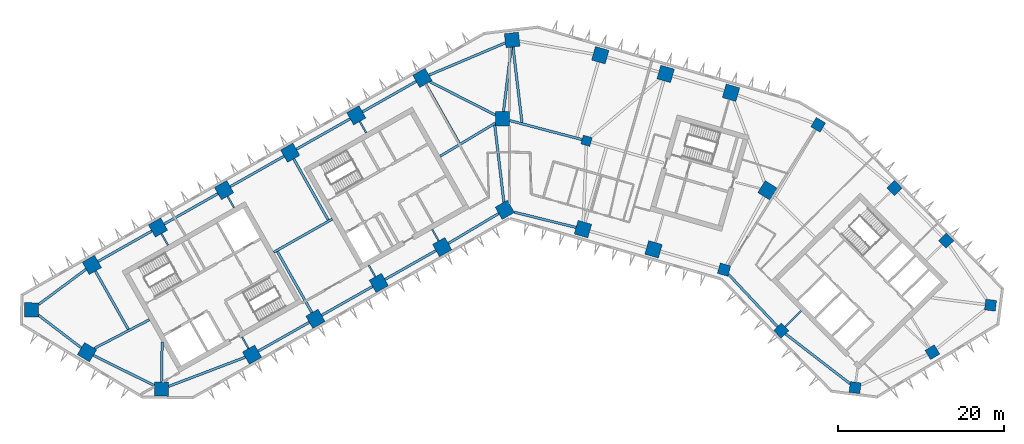
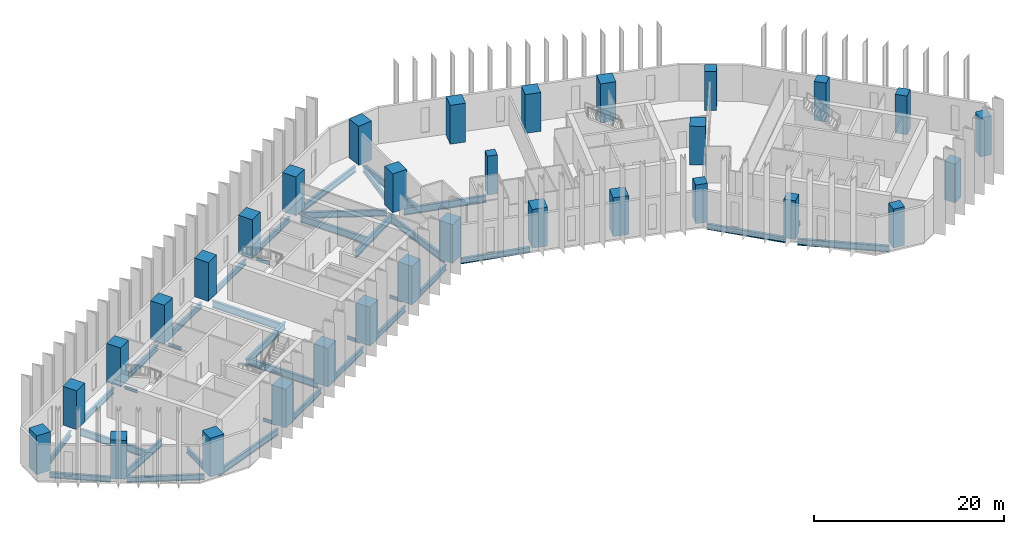
# One storey, part 1 of 11: 37 beams, 31 columns.
"""IFC4 building model written with IfcOpenShell, lengths in metres."""

from ifc_helpers import new_model, si_unit, direction, frame, origin, origin_2d, place, context, subcontext, project, spatial, rectangle, i_section, extrude, material, material_profile, profile_set, type_object, element, save


model = new_model("IFC4")

# Units and contexts
model_context = context("Model", 3, precision=1e-05, world=origin(), true_north=direction((0.0, 1.0)))
body_context = subcontext(model_context, "Body", "Model", "MODEL_VIEW")
ifc_project = project(units=[si_unit("LENGTHUNIT", "METRE"), si_unit("AREAUNIT", "SQUARE_METRE"), si_unit("VOLUMEUNIT", "CUBIC_METRE"), si_unit("PLANEANGLEUNIT", "RADIAN"), si_unit("MASSUNIT", "GRAM", prefix="KILO")], contexts=[model_context])

# Site, building, storey
site_placement = place(None, origin())
site = spatial("IfcSite", under=ifc_project, at=site_placement, CompositionType="ELEMENT")
building_placement = place(site_placement, origin())
building = spatial("IfcBuilding", under=site, at=building_placement, Name="Binnacle Exchange Tower", CompositionType="ELEMENT")
storey_placement = place(building_placement, frame((0.0, 0.0, 56.5)))
storey = spatial("IfcBuildingStorey", under=building, at=storey_placement, Name="L11", CompositionType="ELEMENT", Elevation=56.5)

# Columns
ifc_material_1 = material(Name="Concrete C60/75", Category="concrete")
ifc_material_profile_1 = material_profile(ifc_material_1, rectangle(XDim=1.10009765625, YDim=1.10009765625, at=origin_2d()), Name="Column 1100x1100 C60/75")
ifc_profile_set_1 = profile_set([ifc_material_profile_1], Name="Concrete C60/75")
column_type_1 = type_object("IfcColumnType", Name="Column 1100x1100 C60/75", PredefinedType="COLUMN", material=ifc_profile_set_1)
column_placement = place(storey_placement, frame((9.240966796875, 57.35009765625, 0.0), z_axis=(0.0, 0.0, 1.0), x_axis=(0.961261695938, -0.275637355817, 0.0)))
element("IfcColumn", 1, at=column_placement, inside=storey, type_object=column_type_1, Name="S:COL:C19:L11", PredefinedType="COLUMN", context=body_context, shape_type="SweptSolid", body=[
    extrude(rectangle(XDim=1.10009765625, YDim=1.10009765625, at=origin_2d()), origin(), (0.0, 0.0, 1.0), 5.0),
])
ifc_material_2 = material(Name="Concrete C70/85", Category="concrete")
ifc_material_profile_2 = material_profile(ifc_material_2, rectangle(XDim=1.300048828125, YDim=1.300048828125, at=origin_2d()), Name="Mega column 1300x1300 C70/85")
ifc_profile_set_2 = profile_set([ifc_material_profile_2], Name="Concrete C70/85")
column_type_2 = type_object("IfcColumnType", Name="Mega column 1300x1300 C70/85", PredefinedType="COLUMN", material=ifc_profile_set_2)
for number, where, z_axis, x_axis, name in (
    (2, (37.0849609375, 59.262451171875, 0.0), (0.0, 0.0, 1.0), (-0.859406411501, 0.511293086077, 0.0), "S:COL:MC57:L11"),
    (3, (25.766845703125, 41.85986328125, 0.0), (0.0, 0.0, 1.0), (0.961261695938, -0.275637355817, 0.0), "S:COL:MC56:L11"),
    (4, (32.64111328125, 34.530029296875, 0.0), (0.0, 0.0, 1.0), (0.7009092643, -0.713250449154, 0.0), "S:COL:MC59:L11"),
    (5, (41.519775390625, 27.6748046875, 0.0), (0.0, 0.0, 1.0), (0.99200494968, -0.126198969136, 0.0), "S:COL:MC61:L11"),
    (6, (50.81201171875, 31.930908203125, 0.0), (0.0, 0.0, 1.0), (0.857167300702, 0.51503807491, 0.0), "S:COL:MC63:L11"),
    (7, (57.799072265625, 37.5810546875, 0.0), (0.0, 0.0, 1.0), (0.126198969136, 0.99200494968, 0.0), "S:COL:MC62:L11"),
    (8, (52.466796875, 45.33935546875, 0.0), (0.0, 0.0, 1.0), (-0.7009092643, 0.713250449154, 0.0), "S:COL:MC60:L11"),
    (9, (46.248291015625, 51.667236328125, 0.0), (0.0, 0.0, 1.0), (-0.7009092643, 0.713250449154, 0.0), "S:COL:MC58:L11"),
):
    element("IfcColumn", number, at=place(storey_placement, frame(where, z_axis=z_axis, x_axis=x_axis)), inside=storey, type_object=column_type_2, Name=name, PredefinedType="COLUMN", context=body_context, shape_type="SweptSolid", body=[
        extrude(rectangle(XDim=1.300048828125, YDim=1.300048828125, at=origin_2d()), origin(), (0.0, 0.0, 1.0), 5.0),
    ])
ifc_material_profile_3 = material_profile(ifc_material_2, rectangle(XDim=1.699951171875, YDim=1.699951171875, at=origin_2d()), Name="Mega column 1700x1700 C70/85")
ifc_profile_set_3 = profile_set([ifc_material_profile_3], Name="Concrete C70/85")
column_type_3 = type_object("IfcColumnType", Name="Mega column 1700x1700 C70/85", PredefinedType="COLUMN", material=ifc_profile_set_3)
for number, where, z_axis, x_axis, name in (
    (10, (26.602783203125, 63.12353515625, 0.0), (0.0, 0.0, 1.0), (-0.961261695938, 0.275637355817, 0.0), "S:COL:MC52:L11"),
    (11, (18.746337890625, 65.376220703125, 0.0), (0.0, 0.0, 1.0), (-0.961261695938, 0.275637355817, 0.0), "S:COL:MC50:L11"),
    (12, (10.889892578125, 67.62890625, 0.0), (0.0, 0.0, 1.0), (-0.961261695938, 0.275637355817, 0.0), "S:COL:MC48:L11"),
    (13, (0.300048828125, 69.464111328125, 0.0), (0.0, 0.0, 1.0), (-0.993068456955, -0.117537397458, 0.0), "S:COL:MC47:L11"),
    (14, (-10.4951171875, 64.901611328125, 0.0), (0.0, 0.0, 1.0), (-0.87035569594, -0.492423560103, 0.0), "S:COL:MC38:L11"),
    (15, (-18.44140625, 60.406005859375, 0.0), (0.0, 0.0, 1.0), (-0.87035569594, -0.492423560103, 0.0), "S:COL:MC29:L11"),
    (16, (-26.3876953125, 55.91015625, 0.0), (0.0, 0.0, 1.0), (-0.87035569594, -0.492423560103, 0.0), "S:COL:MC21:L11"),
    (17, (-34.333740234375, 51.414306640625, 0.0), (0.0, 0.0, 1.0), (-0.87035569594, -0.492423560103, 0.0), "S:COL:MC13:L11"),
    (18, (-42.280029296875, 46.918701171875, 0.0), (0.0, 0.0, 1.0), (-0.87035569594, -0.492423560103, 0.0), "S:COL:MC08:L11"),
    (19, (-50.226318359375, 42.4228515625, 0.0), (0.0, 0.0, 1.0), (-0.87035569594, -0.492423560103, 0.0), "S:COL:MC04:L11"),
    (20, (-57.492919921875, 37.02734375, 0.0), (0.0, 0.0, 1.0), (-0.013089595571, -0.999914327574, 0.0), "S:COL:MC02:L11"),
    (21, (-50.81201171875, 31.930908203125, 0.0), (0.0, 0.0, 1.0), (0.857167300702, -0.51503807491, 0.0), "S:COL:MC01:L11"),
    (22, (-41.857666015625, 27.494873046875, 0.0), (0.0, 0.0, 1.0), (0.999914327574, -0.013089595571, 0.0), "S:COL:MC03:L11"),
    (23, (-30.9755859375, 31.63525390625, 0.0), (0.0, 0.0, 1.0), (0.87035569594, 0.492423560103, 0.0), "S:COL:MC07:L11"),
    (24, (-23.35595703125, 35.9462890625, 0.0), (0.0, 0.0, 1.0), (0.87035569594, 0.492423560103, 0.0), "S:COL:MC16:L11"),
    (25, (-15.736328125, 40.257080078125, 0.0), (0.0, 0.0, 1.0), (0.87035569594, 0.492423560103, 0.0), "S:COL:MC24:L11"),
    (26, (-8.116943359375, 44.568115234375, 0.0), (0.0, 0.0, 1.0), (0.87035569594, 0.492423560103, 0.0), "S:COL:MC35:L11"),
    (27, (-0.5908203125, 49.04443359375, 0.0), (0.0, 0.0, 1.0), (0.87035569594, 0.492423560103, 0.0), "S:COL:MC46:L11"),
    (28, (8.8095703125, 46.722412109375, 0.0), (0.0, 0.0, 1.0), (0.961261695938, -0.275637355817, 0.0), "S:COL:MC49:L11"),
    (29, (17.2880859375, 44.291015625, 0.0), (0.0, 0.0, 1.0), (0.961261695938, -0.275637355817, 0.0), "S:COL:MC51:L11"),
    (30, (30.989501953125, 51.38623046875, 0.0), (0.0, 0.0, 1.0), (0.529919264233, 0.848048096156, 0.0), "S:COL:MC55:L11"),
    (31, (-0.85009765625, 60.0, 0.0), (0.0, 0.0, 1.0), (0.0, 1.0, 0.0), "S:COL:MC45:L11"),
):
    element("IfcColumn", number, at=place(storey_placement, frame(where, z_axis=z_axis, x_axis=x_axis)), inside=storey, type_object=column_type_3, Name=name, PredefinedType="COLUMN", context=body_context, shape_type="SweptSolid", body=[
        extrude(rectangle(XDim=1.699951171875, YDim=1.699951171875, at=origin_2d()), origin(), (0.0, 0.0, 1.0), 5.0),
    ])

# Beams
ifc_material_3 = material(Name="Steel S355 (SHN355)", Category="steel")
ifc_material_profile_4 = material_profile(ifc_material_3, i_section(OverallWidth=0.300048828125, OverallDepth=0.699951171875, WebThickness=0.012939453125, FlangeThickness=0.02392578125, FilletRadius=0.028076171875, at=origin_2d()), Name="H 700x300x13x24")
ifc_profile_set_4 = profile_set([ifc_material_profile_4], Name="Steel S355 (SHN355)")
beam_type_1 = type_object("IfcBeamType", Name="Edge girder H 700x300x13x24 Steel S355 (SHN355)", PredefinedType="SPANDREL", material=ifc_profile_set_4)
beam_1_placement = place(storey_placement, frame((-56.6513671875, 36.38525390625, -0.669921875), z_axis=(0.795093040263, -0.606487474994, 0.0), x_axis=(0.606487474994, 0.795093040263, 0.0)))
element("IfcBeam", 32, at=beam_1_placement, inside=storey, type_object=beam_type_1, Name="S:BM:edge:L11:015", PredefinedType="SPANDREL", context=body_context, shape_type="SweptSolid", body=[
    extrude(i_section(OverallWidth=0.300048828125, OverallDepth=0.699951171875, WebThickness=0.012939453125, FlangeThickness=0.02392578125, FilletRadius=0.028076171875, at=origin_2d()), origin(), (0.0, 0.0, 1.0), 6.489013671875),
])
beam_2_placement = place(storey_placement, frame((-50.913818359375, 41.912353515625, -0.669921875), z_axis=(-0.80288535334, -0.59613346609, 0.0), x_axis=(0.59613346609, -0.80288535334, 0.0)))
element("IfcBeam", 33, at=beam_2_placement, inside=storey, type_object=beam_type_1, Name="S:BM:edge:L11:016", PredefinedType="SPANDREL", context=body_context, shape_type="SweptSolid", body=[
    extrude(i_section(OverallWidth=0.300048828125, OverallDepth=0.699951171875, WebThickness=0.012939453125, FlangeThickness=0.02392578125, FilletRadius=0.028076171875, at=origin_2d()), origin(), (0.0, 0.0, 1.0), 7.125244140625),
])
beam_3_placement = place(storey_placement, frame((-43.019775390625, 46.5, -0.669921875), z_axis=(-0.870364477798, -0.492408037898, 0.0), x_axis=(0.492408037898, -0.870364477798, 0.0)))
element("IfcBeam", 34, at=beam_3_placement, inside=storey, type_object=beam_type_1, Name="S:BM:edge:L11:018", PredefinedType="SPANDREL", context=body_context, shape_type="SweptSolid", body=[
    extrude(i_section(OverallWidth=0.300048828125, OverallDepth=0.699951171875, WebThickness=0.012939453125, FlangeThickness=0.02392578125, FilletRadius=0.028076171875, at=origin_2d()), origin(), (0.0, 0.0, 1.0), 7.4296875),
])
beam_4_placement = place(storey_placement, frame((-35.073486328125, 50.995849609375, -0.669921875), z_axis=(-0.870372444894, -0.492393955253, 0.0), x_axis=(0.492393955253, -0.870372444894, 0.0)))
element("IfcBeam", 35, at=beam_4_placement, inside=storey, type_object=beam_type_1, Name="S:BM:edge:L11:020", PredefinedType="SPANDREL", context=body_context, shape_type="SweptSolid", body=[
    extrude(i_section(OverallWidth=0.300048828125, OverallDepth=0.699951171875, WebThickness=0.012939453125, FlangeThickness=0.02392578125, FilletRadius=0.028076171875, at=origin_2d()), origin(), (0.0, 0.0, 1.0), 7.429931640625),
])
beam_5_placement = place(storey_placement, frame((-30.23583984375, 32.053955078125, -0.669921875), z_axis=(0.870373276953, 0.492392484473, 0.0), x_axis=(-0.492392484473, 0.870373276953, 0.0)))
element("IfcBeam", 36, at=beam_5_placement, inside=storey, type_object=beam_type_1, Name="S:BM:edge:L11:021", PredefinedType="SPANDREL", context=body_context, shape_type="SweptSolid", body=[
    extrude(i_section(OverallWidth=0.300048828125, OverallDepth=0.699951171875, WebThickness=0.012939453125, FlangeThickness=0.02392578125, FilletRadius=0.028076171875, at=origin_2d()), origin(), (0.0, 0.0, 1.0), 7.0546875),
])
beam_6_placement = place(storey_placement, frame((-27.12744140625, 55.49169921875, -0.669921875), z_axis=(-0.870350394687, -0.492432929919, 0.0), x_axis=(0.492432929919, -0.870350394687, 0.0)))
element("IfcBeam", 37, at=beam_6_placement, inside=storey, type_object=beam_type_1, Name="S:BM:edge:L11:022", PredefinedType="SPANDREL", context=body_context, shape_type="SweptSolid", body=[
    extrude(i_section(OverallWidth=0.300048828125, OverallDepth=0.699951171875, WebThickness=0.012939453125, FlangeThickness=0.02392578125, FilletRadius=0.028076171875, at=origin_2d()), origin(), (0.0, 0.0, 1.0), 7.429931640625),
])
beam_7_placement = place(storey_placement, frame((-22.6162109375, 36.36474609375, -0.669921875), z_axis=(0.870350053651, 0.492433532681, 0.0), x_axis=(-0.492433532681, 0.870350053651, 0.0)))
element("IfcBeam", 38, at=beam_7_placement, inside=storey, type_object=beam_type_1, Name="S:BM:edge:L11:023", PredefinedType="SPANDREL", context=body_context, shape_type="SweptSolid", body=[
    extrude(i_section(OverallWidth=0.300048828125, OverallDepth=0.699951171875, WebThickness=0.012939453125, FlangeThickness=0.02392578125, FilletRadius=0.028076171875, at=origin_2d()), origin(), (0.0, 0.0, 1.0), 7.054443359375),
])
beam_8_placement = place(storey_placement, frame((-19.18115234375, 59.9873046875, -0.669921875), z_axis=(-0.870364477798, -0.492408037898, 0.0), x_axis=(0.492408037898, -0.870364477798, 0.0)))
element("IfcBeam", 39, at=beam_8_placement, inside=storey, type_object=beam_type_1, Name="S:BM:edge:L11:024", PredefinedType="SPANDREL", context=body_context, shape_type="SweptSolid", body=[
    extrude(i_section(OverallWidth=0.300048828125, OverallDepth=0.699951171875, WebThickness=0.012939453125, FlangeThickness=0.02392578125, FilletRadius=0.028076171875, at=origin_2d()), origin(), (0.0, 0.0, 1.0), 7.4296875),
])
beam_9_placement = place(storey_placement, frame((-14.99658203125, 40.67578125, -0.669921875), z_axis=(0.870364886025, 0.492407316329, 0.0), x_axis=(-0.492407316329, 0.870364886025, 0.0)))
element("IfcBeam", 40, at=beam_9_placement, inside=storey, type_object=beam_type_1, Name="S:BM:edge:L11:025", PredefinedType="SPANDREL", context=body_context, shape_type="SweptSolid", body=[
    extrude(i_section(OverallWidth=0.300048828125, OverallDepth=0.699951171875, WebThickness=0.012939453125, FlangeThickness=0.02392578125, FilletRadius=0.028076171875, at=origin_2d()), origin(), (0.0, 0.0, 1.0), 7.054443359375),
])
beam_10_placement = place(storey_placement, frame((-11.23486328125, 64.483154296875, -0.669921875), z_axis=(-0.870364477798, -0.492408037898, 0.0), x_axis=(0.492408037898, -0.870364477798, 0.0)))
element("IfcBeam", 41, at=beam_10_placement, inside=storey, type_object=beam_type_1, Name="S:BM:edge:L11:026", PredefinedType="SPANDREL", context=body_context, shape_type="SweptSolid", body=[
    extrude(i_section(OverallWidth=0.300048828125, OverallDepth=0.699951171875, WebThickness=0.012939453125, FlangeThickness=0.02392578125, FilletRadius=0.028076171875, at=origin_2d()), origin(), (0.0, 0.0, 1.0), 7.4296875),
])
beam_11_placement = place(storey_placement, frame((-7.38623046875, 45.002685546875, -0.669921875), z_axis=(0.859464815262, 0.511194905419, 0.0), x_axis=(-0.511194905419, 0.859464815262, 0.0)))
element("IfcBeam", 42, at=beam_11_placement, inside=storey, type_object=beam_type_1, Name="S:BM:edge:L11:027", PredefinedType="SPANDREL", context=body_context, shape_type="SweptSolid", body=[
    extrude(i_section(OverallWidth=0.300048828125, OverallDepth=0.699951171875, WebThickness=0.012939453125, FlangeThickness=0.02392578125, FilletRadius=0.028076171875, at=origin_2d()), origin(), (0.0, 0.0, 1.0), 7.056396484375),
])
beam_12_placement = place(storey_placement, frame((0.54443359375, 48.763916015625, -0.669921875), z_axis=(0.970818997342, -0.239813415805, 0.0), x_axis=(0.239813415805, 0.970818997342, 0.0)))
element("IfcBeam", 43, at=beam_12_placement, inside=storey, type_object=beam_type_1, Name="S:BM:edge:L11:029", PredefinedType="SPANDREL", context=body_context, shape_type="SweptSolid", body=[
    extrude(i_section(OverallWidth=0.300048828125, OverallDepth=0.699951171875, WebThickness=0.012939453125, FlangeThickness=0.02392578125, FilletRadius=0.028076171875, at=origin_2d()), origin(), (0.0, 0.0, 1.0), 7.662841796875),
])
ifc_material_profile_5 = material_profile(ifc_material_3, i_section(OverallWidth=0.302001953125, OverallDepth=0.7080078125, WebThickness=0.014892578125, FlangeThickness=0.028076171875, FilletRadius=0.028076171875, at=origin_2d()), Name="H 708x302x15x28")
ifc_profile_set_5 = profile_set([ifc_material_profile_5], Name="Steel S355 (SHN355)")
beam_type_2 = type_object("IfcBeamType", Name="Edge girder H 708x302x15x28 Steel S355 (SHN355)", PredefinedType="SPANDREL", material=ifc_profile_set_5)
beam_13_placement = place(storey_placement, frame((-50.0478515625, 31.55224609375, -0.674072265625), z_axis=(0.896059216286, -0.443934545749, 0.0), x_axis=(0.443934545749, 0.896059216286, 0.0)))
element("IfcBeam", 44, at=beam_13_placement, inside=storey, type_object=beam_type_2, Name="S:BM:edge:L11:017", PredefinedType="SPANDREL", context=body_context, shape_type="SweptSolid", body=[
    extrude(i_section(OverallWidth=0.302001953125, OverallDepth=0.7080078125, WebThickness=0.014892578125, FlangeThickness=0.028076171875, FilletRadius=0.028076171875, at=origin_2d()), origin(), (0.0, 0.0, 1.0), 8.197509765625),
])
beam_14_placement = place(storey_placement, frame((26.284912109375, 41.3076171875, -0.674072265625), z_axis=(0.684056711164, -0.729428828544, 0.0), x_axis=(0.729428828544, 0.684056711164, 0.0)))
element("IfcBeam", 45, at=beam_14_placement, inside=storey, type_object=beam_type_2, Name="S:BM:edge:L11:035", PredefinedType="SPANDREL", context=body_context, shape_type="SweptSolid", body=[
    extrude(i_section(OverallWidth=0.302001953125, OverallDepth=0.7080078125, WebThickness=0.014892578125, FlangeThickness=0.028076171875, FilletRadius=0.028076171875, at=origin_2d()), origin(), (0.0, 0.0, 1.0), 8.6416015625),
])
ifc_material_profile_6 = material_profile(ifc_material_3, i_section(OverallWidth=0.302001953125, OverallDepth=0.80810546875, WebThickness=0.01611328125, FlangeThickness=0.030029296875, FilletRadius=0.028076171875, at=origin_2d()), Name="H 808x302x16x30")
ifc_profile_set_6 = profile_set([ifc_material_profile_6], Name="Steel S355 (SHN355)")
beam_type_3 = type_object("IfcBeamType", Name="Edge girder H 808x302x16x30 Steel S355 (SHN355)", PredefinedType="SPANDREL", material=ifc_profile_set_6)
beam_15_placement = place(storey_placement, frame((-41.00341796875, 27.81982421875, -0.72412109375), z_axis=(0.934628738252, 0.355624973297, 0.0), x_axis=(-0.355624973297, 0.934628738252, 0.0)))
element("IfcBeam", 46, at=beam_15_placement, inside=storey, type_object=beam_type_3, Name="S:BM:edge:L11:019", PredefinedType="SPANDREL", context=body_context, shape_type="SweptSolid", body=[
    extrude(i_section(OverallWidth=0.302001953125, OverallDepth=0.80810546875, WebThickness=0.01611328125, FlangeThickness=0.030029296875, FilletRadius=0.028076171875, at=origin_2d()), origin(), (0.0, 0.0, 1.0), 9.869384765625),
])
beam_16_placement = place(storey_placement, frame((-0.51513671875, 69.11962890625, -0.72412109375), z_axis=(-0.921111373297, -0.389299162578, 0.0), x_axis=(0.389299162578, -0.921111373297, 0.0)))
element("IfcBeam", 47, at=beam_16_placement, inside=storey, type_object=beam_type_3, Name="S:BM:edge:L11:028", PredefinedType="SPANDREL", context=body_context, shape_type="SweptSolid", body=[
    extrude(i_section(OverallWidth=0.302001953125, OverallDepth=0.80810546875, WebThickness=0.01611328125, FlangeThickness=0.030029296875, FilletRadius=0.028076171875, at=origin_2d()), origin(), (0.0, 0.0, 1.0), 9.978759765625),
])
beam_17_placement = place(storey_placement, frame((33.160400390625, 34.12890625, -0.72412109375), z_axis=(0.791533490776, -0.611125791454, 0.0), x_axis=(0.611125791454, 0.791533490776, 0.0)))
element("IfcBeam", 48, at=beam_17_placement, inside=storey, type_object=beam_type_3, Name="S:BM:edge:L11:036", PredefinedType="SPANDREL", context=body_context, shape_type="SweptSolid", body=[
    extrude(i_section(OverallWidth=0.302001953125, OverallDepth=0.80810546875, WebThickness=0.01611328125, FlangeThickness=0.030029296875, FilletRadius=0.028076171875, at=origin_2d()), origin(), (0.0, 0.0, 1.0), 9.80712890625),
])
ifc_material_profile_7 = material_profile(ifc_material_3, i_section(OverallWidth=0.199951171875, OverallDepth=0.39990234375, WebThickness=0.008056640625, FlangeThickness=0.012939453125, FilletRadius=0.01611328125, at=origin_2d()), Name="H 400x200x8x13")
ifc_profile_set_7 = profile_set([ifc_material_profile_7], Name="Steel S355 (SHN355)")
beam_type_4 = type_object("IfcBeamType", Name="Floor beam H 400x200x8x13 Steel S355 (SHN355)", PredefinedType="BEAM", material=ifc_profile_set_7)
beam_18_placement = place(storey_placement, frame((-41.861328125, 46.178955078125, -0.52001953125), z_axis=(0.492366981934, -0.870387703901, 0.0), x_axis=(0.870387703901, 0.492366981934, 0.0)))
element("IfcBeam", 49, at=beam_18_placement, inside=storey, type_object=beam_type_4, Name="S:BM:cross:L11:044", PredefinedType="BEAM", context=body_context, shape_type="SweptSolid", body=[
    extrude(i_section(OverallWidth=0.199951171875, OverallDepth=0.39990234375, WebThickness=0.008056640625, FlangeThickness=0.012939453125, FilletRadius=0.01611328125, at=origin_2d()), origin(), (0.0, 0.0, 1.0), 1.584228515625),
])
beam_19_placement = place(storey_placement, frame((-33.915283203125, 50.674560546875, -0.52001953125), z_axis=(0.492483715062, -0.870321659158, 0.0), x_axis=(0.870321659158, 0.492483715062, 0.0)))
element("IfcBeam", 50, at=beam_19_placement, inside=storey, type_object=beam_type_4, Name="S:BM:cross:L11:046", PredefinedType="BEAM", context=body_context, shape_type="SweptSolid", body=[
    extrude(i_section(OverallWidth=0.199951171875, OverallDepth=0.39990234375, WebThickness=0.008056640625, FlangeThickness=0.012939453125, FilletRadius=0.01611328125, at=origin_2d()), origin(), (0.0, 0.0, 1.0), 1.58447265625),
])
for number, where, z_axis, x_axis, name in (
    (51, (-31.394287109375, 32.375, -0.52001953125), (-0.492366981934, 0.870387703901, 0.0), (-0.870387703901, -0.492366981934, 0.0), "S:BM:cross:L11:047"),
    (52, (-18.022705078125, 59.666259765625, -0.52001953125), (0.492366981934, -0.870387703901, 0.0), (0.870387703901, 0.492366981934, 0.0), "S:BM:cross:L11:050"),
    (53, (-16.155029296875, 40.9970703125, -0.52001953125), (-0.492366981934, 0.870387703901, 0.0), (-0.870387703901, -0.492366981934, 0.0), "S:BM:cross:L11:051"),
):
    element("IfcBeam", number, at=place(storey_placement, frame(where, z_axis=z_axis, x_axis=x_axis)), inside=storey, type_object=beam_type_4, Name=name, PredefinedType="BEAM", context=body_context, shape_type="SweptSolid", body=[
        extrude(i_section(OverallWidth=0.199951171875, OverallDepth=0.39990234375, WebThickness=0.008056640625, FlangeThickness=0.012939453125, FilletRadius=0.01611328125, at=origin_2d()), origin(), (0.0, 0.0, 1.0), 1.584228515625),
    ])
beam_20_placement = place(storey_placement, frame((-8.535400390625, 45.307861328125, -0.52001953125), z_axis=(-0.492483715062, 0.870321659158, 0.0), x_axis=(-0.870321659158, -0.492483715062, 0.0)))
element("IfcBeam", 54, at=beam_20_placement, inside=storey, type_object=beam_type_4, Name="S:BM:cross:L11:053", PredefinedType="BEAM", context=body_context, shape_type="SweptSolid", body=[
    extrude(i_section(OverallWidth=0.199951171875, OverallDepth=0.39990234375, WebThickness=0.008056640625, FlangeThickness=0.012939453125, FilletRadius=0.01611328125, at=origin_2d()), origin(), (0.0, 0.0, 1.0), 1.58447265625),
])
ifc_material_profile_8 = material_profile(ifc_material_3, i_section(OverallWidth=0.199951171875, OverallDepth=0.449951171875, WebThickness=0.009033203125, FlangeThickness=0.013916015625, FilletRadius=0.01806640625, at=origin_2d()), Name="H 450x200x9x14")
ifc_profile_set_8 = profile_set([ifc_material_profile_8], Name="Steel S355 (SHN355)")
beam_type_5 = type_object("IfcBeamType", Name="Floor beam H 450x200x9x14 Steel S355 (SHN355)", PredefinedType="BEAM", material=ifc_profile_set_8)
beam_21_placement = place(storey_placement, frame((33.104736328125, 34.985595703125, -0.544921875), z_axis=(0.713254209224, 0.700905438004, 0.0), x_axis=(-0.700905438004, 0.713254209224, 0.0)))
element("IfcBeam", 55, at=beam_21_placement, inside=storey, type_object=beam_type_5, Name="S:BM:cross:L11:061", PredefinedType="BEAM", context=body_context, shape_type="SweptSolid", body=[
    extrude(i_section(OverallWidth=0.199951171875, OverallDepth=0.449951171875, WebThickness=0.009033203125, FlangeThickness=0.013916015625, FilletRadius=0.01806640625, at=origin_2d()), origin(), (0.0, 0.0, 1.0), 2.70849609375),
])
ifc_material_profile_9 = material_profile(ifc_material_3, i_section(OverallWidth=0.300048828125, OverallDepth=0.699951171875, WebThickness=0.012939453125, FlangeThickness=0.02392578125, FilletRadius=0.028076171875, at=origin_2d()), Name="H 700x300x13x24")
ifc_profile_set_9 = profile_set([ifc_material_profile_9], Name="Steel S355 (SHN355)")
beam_type_6 = type_object("IfcBeamType", Name="Floor beam H 700x300x13x24 Steel S355 (SHN355)", PredefinedType="BEAM", material=ifc_profile_set_9)
beam_22_placement = place(storey_placement, frame((-41.8466796875, 28.3447265625, -0.669921875), z_axis=(0.013120628196, 0.999913920853, 0.0), x_axis=(-0.999913920853, 0.013120628196, 0.0)))
element("IfcBeam", 56, at=beam_22_placement, inside=storey, type_object=beam_type_6, Name="S:BM:cross:L11:045", PredefinedType="BEAM", context=body_context, shape_type="SweptSolid", body=[
    extrude(i_section(OverallWidth=0.300048828125, OverallDepth=0.699951171875, WebThickness=0.012939453125, FlangeThickness=0.02392578125, FilletRadius=0.028076171875, at=origin_2d()), origin(), (0.0, 0.0, 1.0), 4.80078125),
])
ifc_material_profile_10 = material_profile(ifc_material_3, i_section(OverallWidth=0.300048828125, OverallDepth=0.89990234375, WebThickness=0.01611328125, FlangeThickness=0.028076171875, FilletRadius=0.028076171875, at=origin_2d()), Name="H 900x300x16x28")
ifc_profile_set_10 = profile_set([ifc_material_profile_10], Name="Steel S355 (SHN355)")
beam_type_7 = type_object("IfcBeamType", Name="Floor beam H 900x300x16x28 Steel S355 (SHN355)", PredefinedType="BEAM", material=ifc_profile_set_10)
beam_23_placement = place(storey_placement, frame((-49.8076171875, 41.68310546875, -0.77001953125), z_axis=(0.492423370769, -0.87035580306, 0.0), x_axis=(0.87035580306, 0.492423370769, 0.0)))
element("IfcBeam", 57, at=beam_23_placement, inside=storey, type_object=beam_type_7, Name="S:BM:cross:L11:043", PredefinedType="BEAM", context=body_context, shape_type="SweptSolid", body=[
    extrude(i_section(OverallWidth=0.300048828125, OverallDepth=0.89990234375, WebThickness=0.01611328125, FlangeThickness=0.028076171875, FilletRadius=0.028076171875, at=origin_2d()), origin(), (0.0, 0.0, 1.0), 8.041259765625),
])
beam_24_placement = place(storey_placement, frame((-10.076416015625, 64.161865234375, -0.77001953125), z_axis=(0.492410737926, -0.870362950254, 0.0), x_axis=(0.870362950254, 0.492410737926, 0.0)))
element("IfcBeam", 58, at=beam_24_placement, inside=storey, type_object=beam_type_7, Name="S:BM:cross:L11:052", PredefinedType="BEAM", context=body_context, shape_type="SweptSolid", body=[
    extrude(i_section(OverallWidth=0.300048828125, OverallDepth=0.89990234375, WebThickness=0.01611328125, FlangeThickness=0.028076171875, FilletRadius=0.028076171875, at=origin_2d()), origin(), (0.0, 0.0, 1.0), 8.16943359375),
])
ifc_material_profile_11 = material_profile(ifc_material_3, i_section(OverallWidth=0.302001953125, OverallDepth=0.912109375, WebThickness=0.01806640625, FlangeThickness=0.033935546875, FilletRadius=0.028076171875, at=origin_2d()), Name="H 912x302x18x34")
ifc_profile_set_11 = profile_set([ifc_material_profile_11], Name="Steel S355 (SHN355)")
beam_type_8 = type_object("IfcBeamType", Name="Floor beam H 912x302x18x34 Steel S355 (SHN355)", PredefinedType="BEAM", material=ifc_profile_set_11)
for number, where, z_axis, x_axis, name in (
    (59, (-25.968994140625, 55.17041015625, -0.77587890625), (0.492409177884, -0.870363832851, 0.0), (0.870363832851, 0.492409177884, 0.0), "S:BM:cross:L11:048"),
    (60, (-23.774658203125, 36.68603515625, -0.77587890625), (-0.492409177884, 0.870363832851, 0.0), (-0.870363832851, -0.492409177884, 0.0), "S:BM:cross:L11:049"),
):
    element("IfcBeam", number, at=place(storey_placement, frame(where, z_axis=z_axis, x_axis=x_axis)), inside=storey, type_object=beam_type_8, Name=name, PredefinedType="BEAM", context=body_context, shape_type="SweptSolid", body=[
        extrude(i_section(OverallWidth=0.302001953125, OverallDepth=0.912109375, WebThickness=0.01806640625, FlangeThickness=0.033935546875, FilletRadius=0.028076171875, at=origin_2d()), origin(), (0.0, 0.0, 1.0), 8.43408203125),
    ])
ifc_material_profile_12 = material_profile(ifc_material_3, i_section(OverallWidth=0.302978515625, OverallDepth=0.91796875, WebThickness=0.01904296875, FlangeThickness=0.037109375, FilletRadius=0.028076171875, at=origin_2d()), Name="H 918x303x19x37")
ifc_profile_set_12 = profile_set([ifc_material_profile_12], Name="Steel S355 (SHN355)")
beam_type_9 = type_object("IfcBeamType", Name="Floor beam H 918x303x19x37 Steel S355 (SHN355)", PredefinedType="BEAM", material=ifc_profile_set_12)
beam_25_placement = place(storey_placement, frame((-0.69921875, 49.959716796875, -0.779052734375), z_axis=(-0.117528717449, 0.993069484263, 0.0), x_axis=(-0.993069484263, -0.117528717449, 0.0)))
element("IfcBeam", 61, at=beam_25_placement, inside=storey, type_object=beam_type_9, Name="S:BM:cross:L11:054", PredefinedType="BEAM", context=body_context, shape_type="SweptSolid", body=[
    extrude(i_section(OverallWidth=0.302978515625, OverallDepth=0.91796875, WebThickness=0.01904296875, FlangeThickness=0.037109375, FilletRadius=0.028076171875, at=origin_2d()), origin(), (0.0, 0.0, 1.0), 9.374755859375),
])
beam_26_placement = place(storey_placement, frame((0.39990234375, 68.6201171875, -0.779052734375), z_axis=(0.117562643201, -0.993065468599, 0.0), x_axis=(0.993065468599, 0.117562643201, 0.0)))
element("IfcBeam", 62, at=beam_26_placement, inside=storey, type_object=beam_type_9, Name="S:BM:cross:L11:055", PredefinedType="BEAM", context=body_context, shape_type="SweptSolid", body=[
    extrude(i_section(OverallWidth=0.302978515625, OverallDepth=0.91796875, WebThickness=0.01904296875, FlangeThickness=0.037109375, FilletRadius=0.028076171875, at=origin_2d()), origin(), (0.0, 0.0, 1.0), 9.14990234375),
])
ifc_material_profile_13 = material_profile(ifc_material_3, i_section(OverallWidth=0.302001953125, OverallDepth=0.7080078125, WebThickness=0.014892578125, FlangeThickness=0.028076171875, FilletRadius=0.028076171875, at=origin_2d()), Name="H 708x302x15x28")
ifc_profile_set_13 = profile_set([ifc_material_profile_13], Name="Steel S355 (SHN355)")
beam_type_10 = type_object("IfcBeamType", Name="Spine girder H 708x302x15x28 Steel S355 (SHN355)", PredefinedType="BEAM", material=ifc_profile_set_13)
beam_27_placement = place(storey_placement, frame((-0.74658203125, 60.85009765625, -0.674072265625), z_axis=(0.120621974738, 0.992698513755, 0.0), x_axis=(-0.992698513755, 0.120621974738, 0.0)))
element("IfcBeam", 63, at=beam_27_placement, inside=storey, type_object=beam_type_10, Name="S:BM:spine:L11:005", PredefinedType="BEAM", context=body_context, shape_type="SweptSolid", body=[
    extrude(i_section(OverallWidth=0.302001953125, OverallDepth=0.7080078125, WebThickness=0.014892578125, FlangeThickness=0.028076171875, FilletRadius=0.028076171875, at=origin_2d()), origin(), (0.0, 0.0, 1.0), 7.802490234375),
])
ifc_material_profile_14 = material_profile(ifc_material_3, i_section(OverallWidth=0.302001953125, OverallDepth=0.80810546875, WebThickness=0.01611328125, FlangeThickness=0.030029296875, FilletRadius=0.028076171875, at=origin_2d()), Name="H 808x302x16x30")
ifc_profile_set_14 = profile_set([ifc_material_profile_14], Name="Steel S355 (SHN355)")
beam_type_11 = type_object("IfcBeamType", Name="Spine girder H 808x302x16x30 Steel S355 (SHN355)", PredefinedType="BEAM", material=ifc_profile_set_14)
beam_28_placement = place(storey_placement, frame((-1.699951171875, 60.431884765625, -0.72412109375), z_axis=(-0.891471296315, 0.45307717648, 0.0), x_axis=(-0.45307717648, -0.891471296315, 0.0)))
element("IfcBeam", 64, at=beam_28_placement, inside=storey, type_object=beam_type_11, Name="S:BM:spine:L11:004", PredefinedType="BEAM", context=body_context, shape_type="SweptSolid", body=[
    extrude(i_section(OverallWidth=0.302001953125, OverallDepth=0.80810546875, WebThickness=0.01611328125, FlangeThickness=0.030029296875, FilletRadius=0.028076171875, at=origin_2d()), origin(), (0.0, 0.0, 1.0), 8.845703125),
])
ifc_material_profile_15 = material_profile(ifc_material_3, i_section(OverallWidth=0.300048828125, OverallDepth=0.89990234375, WebThickness=0.01611328125, FlangeThickness=0.028076171875, FilletRadius=0.028076171875, at=origin_2d()), Name="H 900x300x16x28")
ifc_profile_set_15 = profile_set([ifc_material_profile_15], Name="Steel S355 (SHN355)")
beam_type_12 = type_object("IfcBeamType", Name="Spine girder H 900x300x16x28 Steel S355 (SHN355)", PredefinedType="BEAM", material=ifc_profile_set_15)
beam_29_placement = place(storey_placement, frame((-49.927734375, 32.391357421875, -0.77001953125), z_axis=(0.886979965344, 0.461807904954, 0.0), x_axis=(-0.461807904954, 0.886979965344, 0.0)))
element("IfcBeam", 65, at=beam_29_placement, inside=storey, type_object=beam_type_12, Name="S:BM:spine:L11:001", PredefinedType="BEAM", context=body_context, shape_type="SweptSolid", body=[
    extrude(i_section(OverallWidth=0.300048828125, OverallDepth=0.89990234375, WebThickness=0.01611328125, FlangeThickness=0.028076171875, FilletRadius=0.028076171875, at=origin_2d()), origin(), (0.0, 0.0, 1.0), 7.463623046875),
])
beam_30_placement = place(storey_placement, frame((-8.36328125, 55.489990234375, -0.77001953125), z_axis=(0.857393122678, 0.514662057261, 0.0), x_axis=(-0.514662057261, 0.857393122678, 0.0)))
element("IfcBeam", 66, at=beam_30_placement, inside=storey, type_object=beam_type_12, Name="S:BM:spine:L11:003", PredefinedType="BEAM", context=body_context, shape_type="SweptSolid", body=[
    extrude(i_section(OverallWidth=0.300048828125, OverallDepth=0.89990234375, WebThickness=0.01611328125, FlangeThickness=0.028076171875, FilletRadius=0.028076171875, at=origin_2d()), origin(), (0.0, 0.0, 1.0), 7.771728515625),
])
ifc_material_profile_16 = material_profile(ifc_material_3, i_section(OverallWidth=0.302001953125, OverallDepth=0.912109375, WebThickness=0.01806640625, FlangeThickness=0.033935546875, FilletRadius=0.028076171875, at=origin_2d()), Name="H 912x302x18x34")
ifc_profile_set_16 = profile_set([ifc_material_profile_16], Name="Steel S355 (SHN355)")
beam_type_13 = type_object("IfcBeamType", Name="Spine girder H 912x302x18x34 Steel S355 (SHN355)", PredefinedType="BEAM", material=ifc_profile_set_16)
beam_31_placement = place(storey_placement, frame((-28.365478515625, 43.951416015625, -0.77587890625), z_axis=(0.870350319004, 0.492433063684, 0.0), x_axis=(-0.492433063684, 0.870350319004, 0.0)))
element("IfcBeam", 67, at=beam_31_placement, inside=storey, type_object=beam_type_13, Name="S:BM:spine:L11:002", PredefinedType="BEAM", context=body_context, shape_type="SweptSolid", body=[
    extrude(i_section(OverallWidth=0.302001953125, OverallDepth=0.912109375, WebThickness=0.01806640625, FlangeThickness=0.033935546875, FilletRadius=0.028076171875, at=origin_2d()), origin(), (0.0, 0.0, 1.0), 8.0908203125),
])
ifc_material_profile_17 = material_profile(ifc_material_3, i_section(OverallWidth=0.302978515625, OverallDepth=0.91796875, WebThickness=0.01904296875, FlangeThickness=0.037109375, FilletRadius=0.028076171875, at=origin_2d()), Name="H 918x303x19x37")
ifc_profile_set_17 = profile_set([ifc_material_profile_17], Name="Steel S355 (SHN355)")
beam_type_14 = type_object("IfcBeamType", Name="Spine girder H 918x303x19x37 Steel S355 (SHN355)", PredefinedType="BEAM", material=ifc_profile_set_17)
beam_32_placement = place(storey_placement, frame((0.0, 59.77685546875, -0.779052734375), z_axis=(0.967208571477, -0.253983423202, 0.0), x_axis=(0.253983423202, 0.967208571477, 0.0)))
element("IfcBeam", 68, at=beam_32_placement, inside=storey, type_object=beam_type_14, Name="S:BM:spine:L11:006", PredefinedType="BEAM", context=body_context, shape_type="SweptSolid", body=[
    extrude(i_section(OverallWidth=0.302978515625, OverallDepth=0.91796875, WebThickness=0.01904296875, FlangeThickness=0.037109375, FilletRadius=0.028076171875, at=origin_2d()), origin(), (0.0, 0.0, 1.0), 9.00390625),
])

save(model, "model.ifc")
